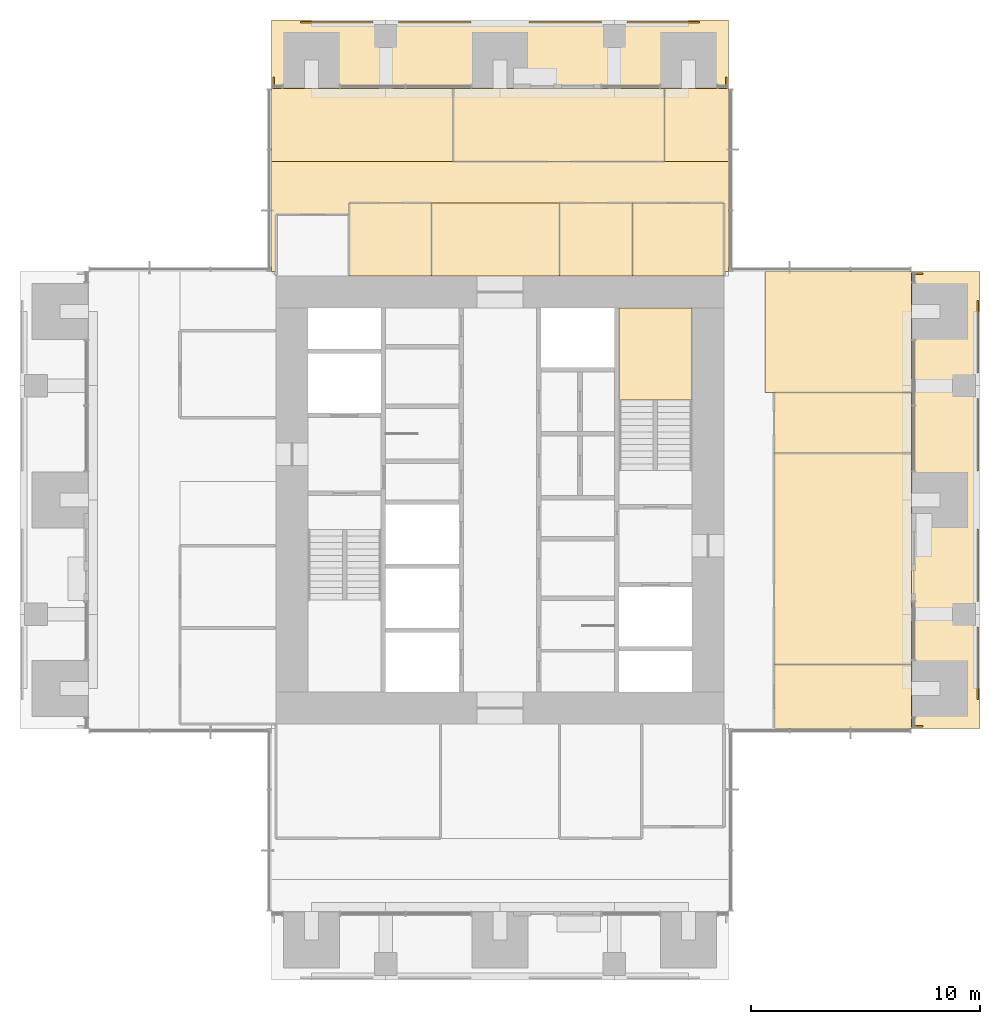
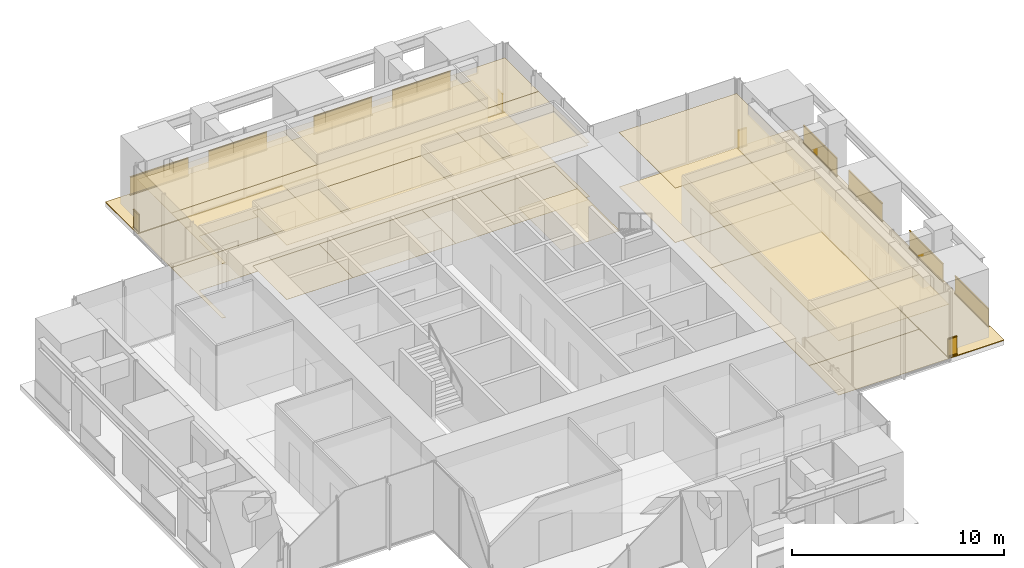
# One storey, part 16 of 17: 27 coverings, 12 railings.
"""IFC4 building model written with IfcOpenShell, lengths in metres."""

from ifc_helpers import new_model, si_unit, direction, frame, origin, origin_2d, place, context, subcontext, project, spatial, polyline, rectangle, outline, extrude, material, layer, layer_set, type_object, element, save


model = new_model("IFC4")

# Units and contexts
model_context = context("Model", 3, precision=1e-05, world=origin(), true_north=direction((0.0, 1.0)))
body_context = subcontext(model_context, "Body", "Model", "MODEL_VIEW")
ifc_project = project(units=[si_unit("LENGTHUNIT", "METRE"), si_unit("AREAUNIT", "SQUARE_METRE"), si_unit("VOLUMEUNIT", "CUBIC_METRE"), si_unit("PLANEANGLEUNIT", "RADIAN"), si_unit("MASSUNIT", "GRAM", prefix="KILO")], contexts=[model_context])

# Site, building, storey
site_placement = place(None, origin())
site = spatial("IfcSite", under=ifc_project, at=site_placement, CompositionType="ELEMENT")
building_placement = place(site_placement, origin())
building = spatial("IfcBuilding", under=site, at=building_placement, Name="Svetlomir Tower", CompositionType="ELEMENT")
storey_placement = place(building_placement, frame((0.0, 0.0, 186.5)))
storey = spatial("IfcBuildingStorey", under=building, at=storey_placement, Name="L44", CompositionType="ELEMENT", Elevation=186.5)

# Railings
ifc_material_1 = material(Name="Bronze anodised aluminium and laminated glass", Category="aluminium")
railing_type = type_object("IfcRailingType", Name="BALCONY GUARD GR1 1100", PredefinedType="GUARDRAIL", material=ifc_material_1)
for number, where, name in (
    (1, (41.89990234375, 12.27490234375, 0.0), "Loggia guard E L44 bay 1"),
    (2, (41.89990234375, 16.550048828125, 0.0), "Loggia guard E L44 bay 2"),
    (3, (41.89990234375, 22.27490234375, 0.0), "Loggia guard E L44 bay 3"),
    (4, (41.89990234375, 26.550048828125, 0.0), "Loggia guard E L44 bay 4"),
):
    element("IfcRailing", number, at=place(storey_placement, frame(where)), inside=storey, type_object=railing_type, Name=name, PredefinedType="GUARDRAIL", context=body_context, shape_type="SweptSolid", body=[
        extrude(rectangle(XDim=0.06005859375, YDim=0.10009765625, at=origin_2d()), frame((0.0, 0.0, 0.050048828125), z_axis=(0.0, 1.0, 0.0), x_axis=(-1.0, 0.0, 0.0)), (0.0, 0.0, 1.0), 3.175048828125),
        extrude(rectangle(XDim=0.021484375, YDim=0.960205078125, at=origin_2d()), frame((0.0, 0.0, 0.580078125), z_axis=(0.0, 1.0, 0.0), x_axis=(-1.0, 0.0, 0.0)), (0.0, 0.0, 1.0), 3.175048828125),
        extrude(rectangle(XDim=0.06005859375, YDim=0.0400390625, at=origin_2d()), frame((0.0, 0.0, 1.080078125), z_axis=(0.0, 1.0, 0.0), x_axis=(-1.0, 0.0, 0.0)), (0.0, 0.0, 1.0), 3.175048828125),
    ])
for number, where, name in (
    (5, (39.5, 11.10009765625, 0.0), "Loggia guard E L44 end 1"),
    (6, (39.5, 30.89990234375, 0.0), "Loggia guard E L44 end 2"),
):
    element("IfcRailing", number, at=place(storey_placement, frame(where)), inside=storey, type_object=railing_type, Name=name, PredefinedType="GUARDRAIL", context=body_context, shape_type="SweptSolid", body=[
        extrude(rectangle(XDim=0.06005859375, YDim=0.10009765625, at=origin_2d()), frame((0.0, 0.0, 0.050048828125), z_axis=(-1.0, 0.0, 0.0), x_axis=(0.0, -1.0, 0.0)), (0.0, 0.0, 1.0), 0.5),
        extrude(rectangle(XDim=0.021484375, YDim=0.960205078125, at=origin_2d()), frame((0.0, 0.0, 0.580078125), z_axis=(-1.0, 0.0, 0.0), x_axis=(0.0, -1.0, 0.0)), (0.0, 0.0, 1.0), 0.5),
        extrude(rectangle(XDim=0.06005859375, YDim=0.0400390625, at=origin_2d()), frame((0.0, 0.0, 1.080078125), z_axis=(-1.0, 0.0, 0.0), x_axis=(0.0, -1.0, 0.0)), (0.0, 0.0, 1.0), 0.5),
    ])
for number, where, name in (
    (7, (12.27490234375, 41.89990234375, 0.0), "Loggia guard N L44 bay 1"),
    (8, (16.550048828125, 41.89990234375, 0.0), "Loggia guard N L44 bay 2"),
    (9, (22.27490234375, 41.89990234375, 0.0), "Loggia guard N L44 bay 3"),
    (10, (26.550048828125, 41.89990234375, 0.0), "Loggia guard N L44 bay 4"),
):
    element("IfcRailing", number, at=place(storey_placement, frame(where)), inside=storey, type_object=railing_type, Name=name, PredefinedType="GUARDRAIL", context=body_context, shape_type="SweptSolid", body=[
        extrude(rectangle(XDim=0.06005859375, YDim=0.10009765625, at=origin_2d()), frame((0.0, 0.0, 0.050048828125), z_axis=(1.0, 0.0, 0.0), x_axis=(0.0, 1.0, 0.0)), (0.0, 0.0, 1.0), 3.175048828125),
        extrude(rectangle(XDim=0.021484375, YDim=0.960205078125, at=origin_2d()), frame((0.0, 0.0, 0.580078125), z_axis=(1.0, 0.0, 0.0), x_axis=(0.0, 1.0, 0.0)), (0.0, 0.0, 1.0), 3.175048828125),
        extrude(rectangle(XDim=0.06005859375, YDim=0.0400390625, at=origin_2d()), frame((0.0, 0.0, 1.080078125), z_axis=(1.0, 0.0, 0.0), x_axis=(0.0, 1.0, 0.0)), (0.0, 0.0, 1.0), 3.175048828125),
    ])
for number, where, name in (
    (11, (11.10009765625, 39.5, 0.0), "Loggia guard N L44 end 1"),
    (12, (30.89990234375, 39.5, 0.0), "Loggia guard N L44 end 2"),
):
    element("IfcRailing", number, at=place(storey_placement, frame(where)), inside=storey, type_object=railing_type, Name=name, PredefinedType="GUARDRAIL", context=body_context, shape_type="SweptSolid", body=[
        extrude(rectangle(XDim=0.06005859375, YDim=0.10009765625, at=origin_2d()), frame((0.0, 0.0, 0.050048828125), z_axis=(0.0, -1.0, 0.0), x_axis=(1.0, 0.0, 0.0)), (0.0, 0.0, 1.0), 0.5),
        extrude(rectangle(XDim=0.021484375, YDim=0.960205078125, at=origin_2d()), frame((0.0, 0.0, 0.580078125), z_axis=(0.0, -1.0, 0.0), x_axis=(1.0, 0.0, 0.0)), (0.0, 0.0, 1.0), 0.5),
        extrude(rectangle(XDim=0.06005859375, YDim=0.0400390625, at=origin_2d()), frame((0.0, 0.0, 1.080078125), z_axis=(0.0, -1.0, 0.0), x_axis=(1.0, 0.0, 0.0)), (0.0, 0.0, 1.0), 0.5),
    ])

# Coverings
ifc_material_2 = material(Name="Granite paving slabs on pedestals", Category="masonry")
ifc_layer_1 = layer(ifc_material_2, 0.0400390625)
ifc_layer_set_1 = layer_set([ifc_layer_1], Name="Granite paving slabs on pedestals")
covering_type_1 = type_object("IfcCoveringType", Name="BALCONY PAVING 40", PredefinedType="USERDEFINED", material=ifc_layer_set_1)
covering_1_placement = place(storey_placement, origin())
element("IfcCovering", 13, at=covering_1_placement, inside=storey, type_object=covering_type_1, Name="Loggia paving E L44", ObjectType="BALCONY PAVING", PredefinedType="USERDEFINED", context=body_context, shape_type="SweptSolid", body=[
    extrude(outline(polyline([(39.0, 11.0), (42.0, 11.0), (42.0, 31.0), (39.0, 31.0), (39.0, 11.0)])), origin(), (0.0, 0.0, 1.0), 0.0400390625),
])
covering_2_placement = place(storey_placement, origin())
element("IfcCovering", 14, at=covering_2_placement, inside=storey, type_object=covering_type_1, Name="Loggia paving N L44", ObjectType="BALCONY PAVING", PredefinedType="USERDEFINED", context=body_context, shape_type="SweptSolid", body=[
    extrude(outline(polyline([(11.0, 39.0), (31.0, 39.0), (31.0, 42.0), (11.0, 42.0), (11.0, 39.0)])), origin(), (0.0, 0.0, 1.0), 0.0400390625),
])
ifc_material_3 = material(Name="Carpet tile", Category="textile")
ifc_layer_2 = layer(ifc_material_3, 0.010009765625)
ifc_layer_set_2 = layer_set([ifc_layer_2], Name="Carpet tile")
covering_type_2 = type_object("IfcCoveringType", Name="CARPET TILE FLOOR 10", PredefinedType="FLOORING", material=ifc_layer_set_2)
covering_3_placement = place(storey_placement, origin())
element("IfcCovering", 15, at=covering_3_placement, inside=storey, type_object=covering_type_2, Name="Floor finish L44-21", PredefinedType="FLOORING", context=body_context, shape_type="SweptSolid", body=[
    extrude(outline(polyline([(33.0, 11.0), (39.0, 11.0), (39.0, 13.800048828125), (33.0, 13.800048828125), (33.0, 11.0)])), origin(), (0.0, 0.0, 1.0), 0.010009765625),
])
covering_4_placement = place(storey_placement, origin())
element("IfcCovering", 16, at=covering_4_placement, inside=storey, type_object=covering_type_2, Name="Floor finish L44-22", PredefinedType="FLOORING", context=body_context, shape_type="SweptSolid", body=[
    extrude(outline(polyline([(33.0, 13.800048828125), (39.0, 13.800048828125), (39.0, 23.050048828125), (33.0, 23.050048828125), (33.0, 13.800048828125)])), origin(), (0.0, 0.0, 1.0), 0.010009765625),
])
covering_5_placement = place(storey_placement, origin())
element("IfcCovering", 17, at=covering_5_placement, inside=storey, type_object=covering_type_2, Name="Floor finish L44-23", PredefinedType="FLOORING", context=body_context, shape_type="SweptSolid", body=[
    extrude(outline(polyline([(33.0, 23.050048828125), (39.0, 23.050048828125), (39.0, 25.699951171875), (33.0, 25.699951171875), (33.0, 23.050048828125)])), origin(), (0.0, 0.0, 1.0), 0.010009765625),
])
covering_6_placement = place(storey_placement, origin())
element("IfcCovering", 18, at=covering_6_placement, inside=storey, type_object=covering_type_2, Name="Floor finish L44-25", PredefinedType="FLOORING", context=body_context, shape_type="SweptSolid", body=[
    extrude(outline(polyline([(14.39990234375, 30.800048828125), (18.0, 30.800048828125), (18.0, 34.0), (14.39990234375, 34.0), (14.39990234375, 30.800048828125)])), origin(), (0.0, 0.0, 1.0), 0.010009765625),
])
covering_7_placement = place(storey_placement, origin())
element("IfcCovering", 19, at=covering_7_placement, inside=storey, type_object=covering_type_2, Name="Floor finish L44-26", PredefinedType="FLOORING", context=body_context, shape_type="SweptSolid", body=[
    extrude(outline(polyline([(23.60009765625, 30.800048828125), (26.800048828125, 30.800048828125), (26.800048828125, 34.0), (23.60009765625, 34.0), (23.60009765625, 30.800048828125)])), origin(), (0.0, 0.0, 1.0), 0.010009765625),
])
covering_8_placement = place(storey_placement, origin())
element("IfcCovering", 20, at=covering_8_placement, inside=storey, type_object=covering_type_2, Name="Floor finish L44-27", PredefinedType="FLOORING", context=body_context, shape_type="SweptSolid", body=[
    extrude(outline(polyline([(26.800048828125, 30.800048828125), (30.800048828125, 30.800048828125), (30.800048828125, 34.0), (26.800048828125, 34.0), (26.800048828125, 30.800048828125)])), origin(), (0.0, 0.0, 1.0), 0.010009765625),
])
covering_9_placement = place(storey_placement, origin())
element("IfcCovering", 21, at=covering_9_placement, inside=storey, type_object=covering_type_2, Name="Floor finish L44-28", PredefinedType="FLOORING", context=body_context, shape_type="SweptSolid", body=[
    extrude(outline(polyline([(18.949951171875, 35.800048828125), (28.199951171875, 35.800048828125), (28.199951171875, 39.0), (18.949951171875, 39.0), (18.949951171875, 35.800048828125)])), origin(), (0.0, 0.0, 1.0), 0.010009765625),
])
covering_10_placement = place(storey_placement, origin())
element("IfcCovering", 22, at=covering_10_placement, inside=storey, type_object=covering_type_2, Name="Floor finish L44-35", PredefinedType="FLOORING", context=body_context, shape_type="SweptSolid", body=[
    extrude(outline(polyline([(30.800048828125, 34.0), (14.39990234375, 34.0), (14.39990234375, 33.5), (11.199951171875, 33.5), (11.199951171875, 31.0), (11.0, 31.0), (11.0, 35.800048828125), (31.0, 35.800048828125), (31.0, 31.0), (30.800048828125, 31.0), (30.800048828125, 34.0)])), origin(), (0.0, 0.0, 1.0), 0.010009765625),
])
covering_11_placement = place(storey_placement, origin())
element("IfcCovering", 23, at=covering_11_placement, inside=storey, type_object=covering_type_2, Name="Floor finish L44-38", PredefinedType="FLOORING", context=body_context, shape_type="SweptSolid", body=[
    extrude(outline(polyline([(39.0, 25.699951171875), (32.60009765625, 25.699951171875), (32.60009765625, 31.0), (39.0, 31.0), (39.0, 25.699951171875)])), origin(), (0.0, 0.0, 1.0), 0.010009765625),
])
covering_12_placement = place(storey_placement, origin())
element("IfcCovering", 24, at=covering_12_placement, inside=storey, type_object=covering_type_2, Name="Floor finish L44-39", PredefinedType="FLOORING", context=body_context, shape_type="SweptSolid", body=[
    extrude(outline(polyline([(18.0, 30.800048828125), (18.0, 34.0), (23.60009765625, 34.0), (23.60009765625, 30.800048828125), (18.0, 30.800048828125)])), origin(), (0.0, 0.0, 1.0), 0.010009765625),
])
covering_13_placement = place(storey_placement, origin())
element("IfcCovering", 25, at=covering_13_placement, inside=storey, type_object=covering_type_2, Name="Floor finish L44-40", PredefinedType="FLOORING", context=body_context, shape_type="SweptSolid", body=[
    extrude(outline(polyline([(18.949951171875, 39.0), (18.949951171875, 35.800048828125), (11.0, 35.800048828125), (11.0, 39.0), (18.949951171875, 39.0)])), origin(), (0.0, 0.0, 1.0), 0.010009765625),
])
covering_14_placement = place(storey_placement, origin())
element("IfcCovering", 26, at=covering_14_placement, inside=storey, type_object=covering_type_2, Name="Floor finish L44-41", PredefinedType="FLOORING", context=body_context, shape_type="SweptSolid", body=[
    extrude(outline(polyline([(31.0, 39.0), (31.0, 35.800048828125), (28.199951171875, 35.800048828125), (28.199951171875, 39.0), (31.0, 39.0)])), origin(), (0.0, 0.0, 1.0), 0.010009765625),
])
ifc_material_4 = material(Name="Studded rubber floor finish", Category="rubber")
ifc_layer_3 = layer(ifc_material_4, 0.006103515625)
ifc_layer_set_3 = layer_set([ifc_layer_3], Name="Studded rubber floor finish")
covering_type_3 = type_object("IfcCoveringType", Name="RUBBER LANDING FINISH 6", PredefinedType="FLOORING", material=ifc_layer_set_3)
covering_15_placement = place(storey_placement, frame((0.0, 0.0, 2.0)))
element("IfcCovering", 27, at=covering_15_placement, inside=storey, type_object=covering_type_3, Name="Stair S2 landing finish L44", PredefinedType="FLOORING", context=body_context, shape_type="SweptSolid", body=[
    extrude(outline(polyline([(26.199951171875, 25.3798828125), (29.39990234375, 25.3798828125), (29.39990234375, 29.39990234375), (26.199951171875, 29.39990234375), (26.199951171875, 25.3798828125)])), origin(), (0.0, 0.0, 1.0), 0.006103515625),
])
ifc_material_5 = material(Name="Mineral fibre ceiling tile", Category="mineral")
ifc_layer_4 = layer(ifc_material_5, 0.02001953125)
ifc_layer_set_4 = layer_set([ifc_layer_4], Name="Mineral fibre ceiling tile")
covering_type_4 = type_object("IfcCoveringType", Name="SUSPENDED CEILING 20", PredefinedType="CEILING", material=ifc_layer_set_4)
covering_16_placement = place(storey_placement, frame((0.0, 0.0, 3.1298828125)))
element("IfcCovering", 28, at=covering_16_placement, inside=storey, type_object=covering_type_4, Name="Ceiling L44-21", PredefinedType="CEILING", context=body_context, shape_type="SweptSolid", body=[
    extrude(outline(polyline([(33.0, 11.0), (39.0, 11.0), (39.0, 13.800048828125), (33.0, 13.800048828125), (33.0, 11.0)])), origin(), (0.0, 0.0, 1.0), 0.02001953125),
])
covering_17_placement = place(storey_placement, frame((0.0, 0.0, 3.1298828125)))
element("IfcCovering", 29, at=covering_17_placement, inside=storey, type_object=covering_type_4, Name="Ceiling L44-22", PredefinedType="CEILING", context=body_context, shape_type="SweptSolid", body=[
    extrude(outline(polyline([(33.0, 13.800048828125), (39.0, 13.800048828125), (39.0, 23.050048828125), (33.0, 23.050048828125), (33.0, 13.800048828125)])), origin(), (0.0, 0.0, 1.0), 0.02001953125),
])
covering_18_placement = place(storey_placement, frame((0.0, 0.0, 3.1298828125)))
element("IfcCovering", 30, at=covering_18_placement, inside=storey, type_object=covering_type_4, Name="Ceiling L44-23", PredefinedType="CEILING", context=body_context, shape_type="SweptSolid", body=[
    extrude(outline(polyline([(33.0, 23.050048828125), (39.0, 23.050048828125), (39.0, 25.699951171875), (33.0, 25.699951171875), (33.0, 23.050048828125)])), origin(), (0.0, 0.0, 1.0), 0.02001953125),
])
covering_19_placement = place(storey_placement, frame((0.0, 0.0, 3.1298828125)))
element("IfcCovering", 31, at=covering_19_placement, inside=storey, type_object=covering_type_4, Name="Ceiling L44-25", PredefinedType="CEILING", context=body_context, shape_type="SweptSolid", body=[
    extrude(outline(polyline([(14.39990234375, 30.800048828125), (18.0, 30.800048828125), (18.0, 34.0), (14.39990234375, 34.0), (14.39990234375, 30.800048828125)])), origin(), (0.0, 0.0, 1.0), 0.02001953125),
])
covering_20_placement = place(storey_placement, frame((0.0, 0.0, 3.1298828125)))
element("IfcCovering", 32, at=covering_20_placement, inside=storey, type_object=covering_type_4, Name="Ceiling L44-26", PredefinedType="CEILING", context=body_context, shape_type="SweptSolid", body=[
    extrude(outline(polyline([(23.60009765625, 30.800048828125), (26.800048828125, 30.800048828125), (26.800048828125, 34.0), (23.60009765625, 34.0), (23.60009765625, 30.800048828125)])), origin(), (0.0, 0.0, 1.0), 0.02001953125),
])
covering_21_placement = place(storey_placement, frame((0.0, 0.0, 3.1298828125)))
element("IfcCovering", 33, at=covering_21_placement, inside=storey, type_object=covering_type_4, Name="Ceiling L44-27", PredefinedType="CEILING", context=body_context, shape_type="SweptSolid", body=[
    extrude(outline(polyline([(26.800048828125, 30.800048828125), (30.800048828125, 30.800048828125), (30.800048828125, 34.0), (26.800048828125, 34.0), (26.800048828125, 30.800048828125)])), origin(), (0.0, 0.0, 1.0), 0.02001953125),
])
covering_22_placement = place(storey_placement, frame((0.0, 0.0, 3.1298828125)))
element("IfcCovering", 34, at=covering_22_placement, inside=storey, type_object=covering_type_4, Name="Ceiling L44-28", PredefinedType="CEILING", context=body_context, shape_type="SweptSolid", body=[
    extrude(outline(polyline([(18.949951171875, 35.800048828125), (28.199951171875, 35.800048828125), (28.199951171875, 39.0), (18.949951171875, 39.0), (18.949951171875, 35.800048828125)])), origin(), (0.0, 0.0, 1.0), 0.02001953125),
])
covering_23_placement = place(storey_placement, frame((0.0, 0.0, 3.1298828125)))
element("IfcCovering", 35, at=covering_23_placement, inside=storey, type_object=covering_type_4, Name="Ceiling L44-35", PredefinedType="CEILING", context=body_context, shape_type="SweptSolid", body=[
    extrude(outline(polyline([(30.800048828125, 34.0), (14.39990234375, 34.0), (14.39990234375, 33.5), (11.199951171875, 33.5), (11.199951171875, 31.0), (11.0, 31.0), (11.0, 35.800048828125), (31.0, 35.800048828125), (31.0, 31.0), (30.800048828125, 31.0), (30.800048828125, 34.0)])), origin(), (0.0, 0.0, 1.0), 0.02001953125),
])
covering_24_placement = place(storey_placement, frame((0.0, 0.0, 3.1298828125)))
element("IfcCovering", 36, at=covering_24_placement, inside=storey, type_object=covering_type_4, Name="Ceiling L44-38", PredefinedType="CEILING", context=body_context, shape_type="SweptSolid", body=[
    extrude(outline(polyline([(39.0, 25.699951171875), (32.60009765625, 25.699951171875), (32.60009765625, 31.0), (39.0, 31.0), (39.0, 25.699951171875)])), origin(), (0.0, 0.0, 1.0), 0.02001953125),
])
covering_25_placement = place(storey_placement, frame((0.0, 0.0, 3.1298828125)))
element("IfcCovering", 37, at=covering_25_placement, inside=storey, type_object=covering_type_4, Name="Ceiling L44-39", PredefinedType="CEILING", context=body_context, shape_type="SweptSolid", body=[
    extrude(outline(polyline([(18.0, 30.800048828125), (18.0, 34.0), (23.60009765625, 34.0), (23.60009765625, 30.800048828125), (18.0, 30.800048828125)])), origin(), (0.0, 0.0, 1.0), 0.02001953125),
])
covering_26_placement = place(storey_placement, frame((0.0, 0.0, 3.1298828125)))
element("IfcCovering", 38, at=covering_26_placement, inside=storey, type_object=covering_type_4, Name="Ceiling L44-40", PredefinedType="CEILING", context=body_context, shape_type="SweptSolid", body=[
    extrude(outline(polyline([(18.949951171875, 39.0), (18.949951171875, 35.800048828125), (11.0, 35.800048828125), (11.0, 39.0), (18.949951171875, 39.0)])), origin(), (0.0, 0.0, 1.0), 0.02001953125),
])
covering_27_placement = place(storey_placement, frame((0.0, 0.0, 3.1298828125)))
element("IfcCovering", 39, at=covering_27_placement, inside=storey, type_object=covering_type_4, Name="Ceiling L44-41", PredefinedType="CEILING", context=body_context, shape_type="SweptSolid", body=[
    extrude(outline(polyline([(31.0, 39.0), (31.0, 35.800048828125), (28.199951171875, 35.800048828125), (28.199951171875, 39.0), (31.0, 39.0)])), origin(), (0.0, 0.0, 1.0), 0.02001953125),
])

save(model, "model.ifc")
